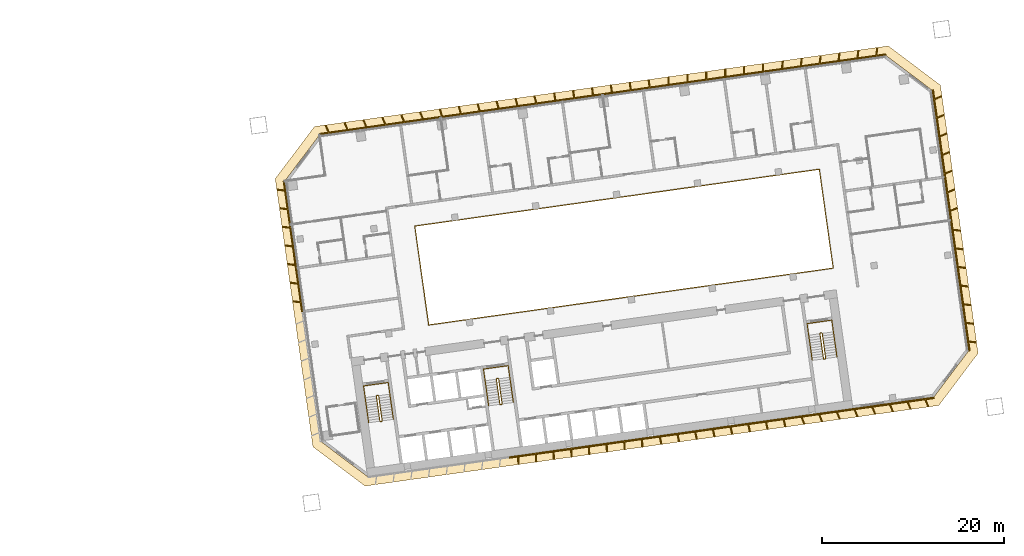
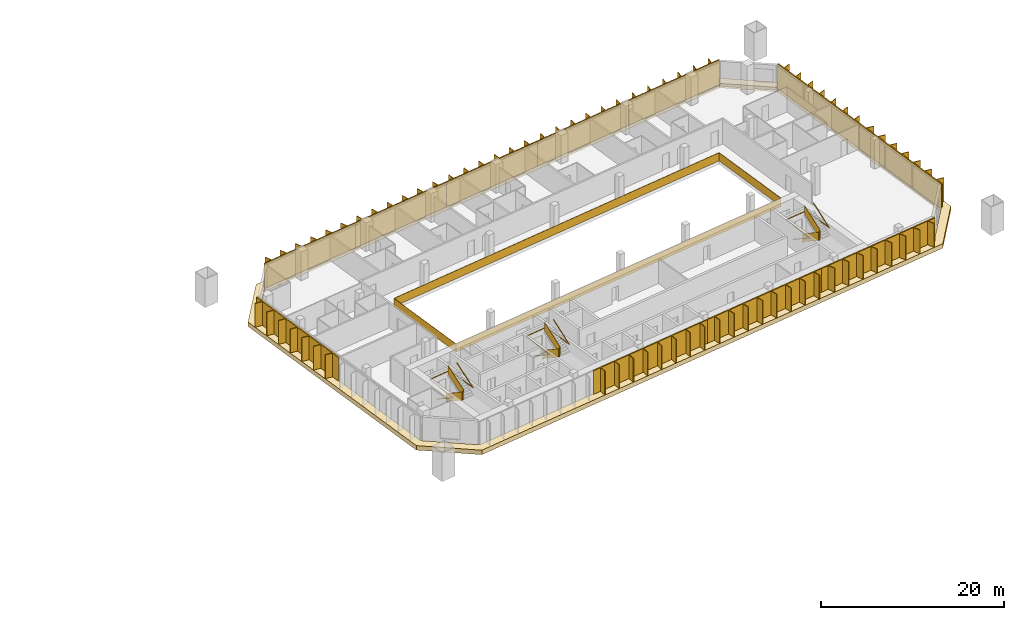
# One storey, part 24 of 24: 11 shading devices, 7 railings, 1 covering.
"""IFC4 building model written with IfcOpenShell, lengths in metres."""

from ifc_helpers import new_model, si_unit, direction, frame, origin, origin_2d, place, context, subcontext, project, spatial, polyline, rectangle, outline, extrude, material, layer, layer_set, type_object, element, save


model = new_model("IFC4")

# Units and contexts
model_context = context("Model", 3, precision=1e-05, world=origin(), true_north=direction((0.0, 1.0)))
body_context = subcontext(model_context, "Body", "Model", "MODEL_VIEW")
ifc_project = project(units=[si_unit("LENGTHUNIT", "METRE"), si_unit("AREAUNIT", "SQUARE_METRE"), si_unit("VOLUMEUNIT", "CUBIC_METRE"), si_unit("PLANEANGLEUNIT", "RADIAN"), si_unit("MASSUNIT", "GRAM", prefix="KILO")], contexts=[model_context])

# Site, building, storey
site_placement = place(None, origin())
site = spatial("IfcSite", under=ifc_project, at=site_placement, CompositionType="ELEMENT")
building_placement = place(site_placement, origin())
building = spatial("IfcBuilding", under=site, at=building_placement, Name="Mirante Cascada Hotel Towers", CompositionType="ELEMENT")
storey_placement = place(building_placement, frame((0.0, 0.0, 88.9)))
storey = spatial("IfcBuildingStorey", under=building, at=storey_placement, Name="L19", CompositionType="ELEMENT", Elevation=88.9)

# Railing
ifc_material_1 = material(Name="Toughened glass with stainless steel handrail", Category="steel")
railing_type_1 = type_object("IfcRailingType", Name="Atrium guard 1100 glass balustrade", PredefinedType="GUARDRAIL", material=ifc_material_1)
railing_1_placement = place(storey_placement, frame((43.8418, -3.4881, 0.0)))
element("IfcRailing", 1, at=railing_1_placement, inside=storey, type_object=railing_type_1, Name="GUARD 2-L19-1", PredefinedType="GUARDRAIL", context=body_context, shape_type="SweptSolid", body=[
    extrude(rectangle(XDim=0.048, YDim=0.048, at=origin_2d()), frame((0.0, 0.0, 1.076), z_axis=(0.9902681, 0.1391732, 0.0), x_axis=(-0.1391732, 0.9902681, 0.0)), (0.0, 0.0, 1.0), 45.0),
    extrude(rectangle(XDim=0.02, YDim=1.052, at=origin_2d()), frame((0.0, 0.0, 0.526), z_axis=(0.9902681, 0.1391732, 0.0), x_axis=(-0.1391732, 0.9902681, 0.0)), (0.0, 0.0, 1.0), 45.0),
    extrude(rectangle(XDim=0.048, YDim=0.048, at=origin_2d()), frame((44.5621, 6.2628, 1.076), z_axis=(-0.1391721, 0.9902682, 0.0), x_axis=(-0.9902682, -0.1391721, 0.0)), (0.0, 0.0, 1.0), 11.0001),
    extrude(rectangle(XDim=0.02, YDim=1.052, at=origin_2d()), frame((44.5621, 6.2628, 0.526), z_axis=(-0.1391721, 0.9902682, 0.0), x_axis=(-0.9902682, -0.1391721, 0.0)), (0.0, 0.0, 1.0), 11.0001),
    extrude(rectangle(XDim=0.048, YDim=0.048, at=origin_2d()), frame((43.0312, 17.1558, 1.076), z_axis=(-0.9902681, -0.1391732, 0.0), x_axis=(0.1391732, -0.9902681, 0.0)), (0.0, 0.0, 1.0), 45.0),
    extrude(rectangle(XDim=0.02, YDim=1.052, at=origin_2d()), frame((43.0312, 17.1558, 0.526), z_axis=(-0.9902681, -0.1391732, 0.0), x_axis=(0.1391732, -0.9902681, 0.0)), (0.0, 0.0, 1.0), 45.0),
    extrude(rectangle(XDim=0.048, YDim=0.048, at=origin_2d()), frame((-1.5309, 10.893, 1.076), z_axis=(0.1391721, -0.9902682, 0.0), x_axis=(0.9902682, 0.1391721, 0.0)), (0.0, 0.0, 1.0), 11.0001),
    extrude(rectangle(XDim=0.02, YDim=1.052, at=origin_2d()), frame((-1.5309, 10.893, 0.526), z_axis=(0.1391721, -0.9902682, 0.0), x_axis=(0.9902682, 0.1391721, 0.0)), (0.0, 0.0, 1.0), 11.0001),
])

# Covering
ifc_material_2 = material(Name="Precast concrete C40/50 white", Category="concrete")
ifc_layer = layer(ifc_material_2, 0.6)
ifc_layer_set = layer_set([ifc_layer], Name="Precast concrete SUNSHADE band 1000x600")
covering_type = type_object("IfcCoveringType", Name="Precast concrete SUNSHADE band 1000x600", PredefinedType="CLADDING", material=ifc_layer_set)
covering_placement = place(storey_placement, frame((0.0, 0.0, -0.45)))
element("IfcCovering", 2, at=covering_placement, inside=storey, type_object=covering_type, Name="Precast concrete SUNSHADE band T2 L19", PredefinedType="CLADDING", context=body_context, shape_type="SweptSolid", body=[
    extrude(outline(polyline([(26.9341, 12.6299), (31.2626, 18.374), (94.4698, 27.2572), (100.2139, 22.9287), (104.3652, -6.6094), (100.0367, -12.3535), (36.8295, -21.2367), (31.0854, -16.9082), (26.9341, 12.6299)]), holes=[polyline([(103.3173, -6.3384), (99.2813, 22.3794), (94.1988, 26.2093), (31.8119, 17.4414), (27.982, 12.3589), (32.018, -16.3589), (37.1005, -20.1888), (99.4874, -11.4209), (103.3173, -6.3384)])]), origin(), (0.0, 0.0, 1.0), 0.6),
])

# Railings
ifc_material_3 = material(Name="Painted steel", Category="steel")
railing_type_2 = type_object("IfcRailingType", Name="Stair guard 1100 steel balustrade", PredefinedType="GUARDRAIL", material=ifc_material_3)
railing_2_placement = place(storey_placement, frame((38.2663, -11.2395, 0.0)))
element("IfcRailing", 3, at=railing_2_placement, inside=storey, type_object=railing_type_2, Name="L19 ST2-A stair guard 1", PredefinedType="GUARDRAIL", context=body_context, shape_type="SweptSolid", body=[
    extrude(rectangle(XDim=0.048, YDim=0.048, at=origin_2d()), frame((0.0, 0.0, 1.076), z_axis=(-0.9903326, -0.1387133, 0.0), x_axis=(0.1387133, -0.9903326, 0.0)), (0.0, 0.0, 1.0), 0.1499),
    extrude(rectangle(XDim=0.02, YDim=1.052, at=origin_2d()), frame((0.0, 0.0, 0.526), z_axis=(-0.9903326, -0.1387133, 0.0), x_axis=(0.1387133, -0.9903326, 0.0)), (0.0, 0.0, 1.0), 0.1499),
    extrude(rectangle(XDim=0.048, YDim=0.048, at=origin_2d()), frame((-0.1485, -0.0208, 1.076), z_axis=(-0.6020331, -0.7984711, 0.0), x_axis=(0.7984711, -0.6020331, 0.0)), (0.0, 0.9253398, 0.3791387), 0.1866),
    extrude(rectangle(XDim=0.02, YDim=1.052, at=origin_2d()), frame((-0.1485, -0.0208, 0.526), z_axis=(-0.6020331, -0.7984711, 0.0), x_axis=(0.7984711, -0.6020331, 0.0)), (0.0, 0.9253398, 0.3791387), 0.1866),
    extrude(rectangle(XDim=0.048, YDim=0.048, at=origin_2d()), frame((-0.1911, -0.0773, 1.2487), z_axis=(0.139176, -0.9902677, 0.0), x_axis=(0.9902677, 0.139176, 0.0)), (0.0, 0.5250212, 0.8510891), 3.29),
    extrude(rectangle(XDim=0.02, YDim=1.052, at=origin_2d()), frame((-0.1911, -0.0773, 0.6987), z_axis=(0.139176, -0.9902677, 0.0), x_axis=(0.9902677, 0.139176, 0.0)), (0.0, 0.5250212, 0.8510891), 3.29),
    extrude(rectangle(XDim=0.048, YDim=0.048, at=origin_2d()), frame((0.1986, -2.8501, 2.976), z_axis=(0.9944948, -0.1047858, 0.0), x_axis=(0.1047858, 0.9944948, 0.0)), (0.0, 0.0, 1.0), 0.2061),
    extrude(rectangle(XDim=0.02, YDim=1.052, at=origin_2d()), frame((0.1986, -2.8501, 2.426), z_axis=(0.9944948, -0.1047858, 0.0), x_axis=(0.1047858, 0.9944948, 0.0)), (0.0, 0.0, 1.0), 0.2061),
    extrude(rectangle(XDim=0.048, YDim=0.048, at=origin_2d()), frame((0.4036, -2.8717, 2.976), z_axis=(-0.9902408, -0.1393672, 0.0), x_axis=(0.1393672, -0.9902408, 0.0)), (0.0, 0.0, 1.0), 0.15),
    extrude(rectangle(XDim=0.02, YDim=1.052, at=origin_2d()), frame((0.4036, -2.8717, 2.426), z_axis=(-0.9902408, -0.1393672, 0.0), x_axis=(0.1393672, -0.9902408, 0.0)), (0.0, 0.0, 1.0), 0.15),
    extrude(rectangle(XDim=0.048, YDim=0.048, at=origin_2d()), frame((0.2551, -2.8926, 2.976), z_axis=(0.9270311, 0.3749843, 0.0), x_axis=(-0.3749843, 0.9270311, 0.0)), (0.0, 0.6421903, 0.7665452), 0.2689),
    extrude(rectangle(XDim=0.02, YDim=1.052, at=origin_2d()), frame((0.2551, -2.8926, 2.426), z_axis=(0.9270311, 0.3749843, 0.0), x_axis=(-0.3749843, 0.9270311, 0.0)), (0.0, 0.6421903, 0.7665452), 0.2689),
    extrude(rectangle(XDim=0.048, YDim=0.048, at=origin_2d()), frame((0.4462, -2.8153, 3.1487), z_axis=(-0.139176, 0.9902677, 0.0), x_axis=(-0.9902677, -0.139176, 0.0)), (0.0, 0.5250212, 0.8510891), 3.29),
    extrude(rectangle(XDim=0.02, YDim=1.052, at=origin_2d()), frame((0.4462, -2.8153, 2.5987), z_axis=(-0.139176, 0.9902677, 0.0), x_axis=(-0.9902677, -0.139176, 0.0)), (0.0, 0.5250212, 0.8510891), 3.29),
])
railing_3_placement = place(storey_placement, frame((51.4864, -9.3815, 0.0)))
element("IfcRailing", 4, at=railing_3_placement, inside=storey, type_object=railing_type_2, Name="L19 ST2-B stair guard 1", PredefinedType="GUARDRAIL", context=body_context, shape_type="SweptSolid", body=[
    extrude(rectangle(XDim=0.048, YDim=0.048, at=origin_2d()), frame((0.0, 0.0, 1.076), z_axis=(-0.9902408, -0.1393672, 0.0), x_axis=(0.1393672, -0.9902408, 0.0)), (0.0, 0.0, 1.0), 0.15),
    extrude(rectangle(XDim=0.02, YDim=1.052, at=origin_2d()), frame((0.0, 0.0, 0.526), z_axis=(-0.9902408, -0.1393672, 0.0), x_axis=(0.1393672, -0.9902408, 0.0)), (0.0, 0.0, 1.0), 0.15),
    extrude(rectangle(XDim=0.048, YDim=0.048, at=origin_2d()), frame((-0.1485, -0.0209, 1.076), z_axis=(-0.6020331, -0.7984711, 0.0), x_axis=(0.7984711, -0.6020331, 0.0)), (0.0, 0.9253398, 0.3791387), 0.1866),
    extrude(rectangle(XDim=0.02, YDim=1.052, at=origin_2d()), frame((-0.1485, -0.0209, 0.526), z_axis=(-0.6020331, -0.7984711, 0.0), x_axis=(0.7984711, -0.6020331, 0.0)), (0.0, 0.9253398, 0.3791387), 0.1866),
    extrude(rectangle(XDim=0.048, YDim=0.048, at=origin_2d()), frame((-0.1911, -0.0774, 1.2487), z_axis=(0.139181, -0.990267, 0.0), x_axis=(0.990267, 0.139181, 0.0)), (0.0, 0.5250347, 0.8510808), 3.2899),
    extrude(rectangle(XDim=0.02, YDim=1.052, at=origin_2d()), frame((-0.1911, -0.0774, 0.6987), z_axis=(0.139181, -0.990267, 0.0), x_axis=(0.990267, 0.139181, 0.0)), (0.0, 0.5250347, 0.8510808), 3.2899),
    extrude(rectangle(XDim=0.048, YDim=0.048, at=origin_2d()), frame((0.1986, -2.8501, 2.976), z_axis=(0.9944441, -0.1052656, 0.0), x_axis=(0.1052656, 0.9944441, 0.0)), (0.0, 0.0, 1.0), 0.2061),
    extrude(rectangle(XDim=0.02, YDim=1.052, at=origin_2d()), frame((0.1986, -2.8501, 2.426), z_axis=(0.9944441, -0.1052656, 0.0), x_axis=(0.1052656, 0.9944441, 0.0)), (0.0, 0.0, 1.0), 0.2061),
    extrude(rectangle(XDim=0.048, YDim=0.048, at=origin_2d()), frame((0.4036, -2.8718, 2.976), z_axis=(-0.9902408, -0.1393672, 0.0), x_axis=(0.1393672, -0.9902408, 0.0)), (0.0, 0.0, 1.0), 0.15),
    extrude(rectangle(XDim=0.02, YDim=1.052, at=origin_2d()), frame((0.4036, -2.8718, 2.426), z_axis=(-0.9902408, -0.1393672, 0.0), x_axis=(0.1393672, -0.9902408, 0.0)), (0.0, 0.0, 1.0), 0.15),
    extrude(rectangle(XDim=0.048, YDim=0.048, at=origin_2d()), frame((0.2551, -2.8927, 2.976), z_axis=(0.9268624, 0.3754011, 0.0), x_axis=(-0.3754011, 0.9268624, 0.0)), (0.0, 0.6421217, 0.7666028), 0.269),
    extrude(rectangle(XDim=0.02, YDim=1.052, at=origin_2d()), frame((0.2551, -2.8927, 2.426), z_axis=(0.9268624, 0.3754011, 0.0), x_axis=(-0.3754011, 0.9268624, 0.0)), (0.0, 0.6421217, 0.7666028), 0.269),
    extrude(rectangle(XDim=0.048, YDim=0.048, at=origin_2d()), frame((0.4462, -2.8153, 3.1487), z_axis=(-0.139181, 0.990267, 0.0), x_axis=(-0.990267, -0.139181, 0.0)), (0.0, 0.5250347, 0.8510808), 3.2899),
    extrude(rectangle(XDim=0.02, YDim=1.052, at=origin_2d()), frame((0.4462, -2.8153, 2.5987), z_axis=(-0.139181, 0.990267, 0.0), x_axis=(-0.990267, -0.139181, 0.0)), (0.0, 0.5250347, 0.8510808), 3.2899),
])
railing_4_placement = place(storey_placement, frame((87.1361, -4.3713, 0.0)))
element("IfcRailing", 5, at=railing_4_placement, inside=storey, type_object=railing_type_2, Name="L19 ST2-C stair guard 1", PredefinedType="GUARDRAIL", context=body_context, shape_type="SweptSolid", body=[
    extrude(rectangle(XDim=0.048, YDim=0.048, at=origin_2d()), frame((0.0, 0.0, 1.076), z_axis=(-0.9902537, -0.1392753, 0.0), x_axis=(0.1392753, -0.9902537, 0.0)), (0.0, 0.0, 1.0), 0.1501),
    extrude(rectangle(XDim=0.02, YDim=1.052, at=origin_2d()), frame((0.0, 0.0, 0.526), z_axis=(-0.9902537, -0.1392753, 0.0), x_axis=(0.1392753, -0.9902537, 0.0)), (0.0, 0.0, 1.0), 0.1501),
    extrude(rectangle(XDim=0.048, YDim=0.048, at=origin_2d()), frame((-0.1486, -0.0209, 1.076), z_axis=(-0.601811, -0.7986386, 0.0), x_axis=(0.7986386, -0.601811, 0.0)), (0.0, 0.925603, 0.3784959), 0.1866),
    extrude(rectangle(XDim=0.02, YDim=1.052, at=origin_2d()), frame((-0.1486, -0.0209, 0.526), z_axis=(-0.601811, -0.7986386, 0.0), x_axis=(0.7986386, -0.601811, 0.0)), (0.0, 0.925603, 0.3784959), 0.1866),
    extrude(rectangle(XDim=0.048, YDim=0.048, at=origin_2d()), frame((-0.1911, -0.0773, 1.2487), z_axis=(0.139176, -0.9902677, 0.0), x_axis=(0.9902677, 0.139176, 0.0)), (0.0, 0.5250212, 0.8510891), 3.29),
    extrude(rectangle(XDim=0.02, YDim=1.052, at=origin_2d()), frame((-0.1911, -0.0773, 0.6987), z_axis=(0.139176, -0.9902677, 0.0), x_axis=(0.9902677, 0.139176, 0.0)), (0.0, 0.5250212, 0.8510891), 3.29),
    extrude(rectangle(XDim=0.048, YDim=0.048, at=origin_2d()), frame((0.1986, -2.8501, 2.976), z_axis=(0.9944441, -0.1052656, 0.0), x_axis=(0.1052656, 0.9944441, 0.0)), (0.0, 0.0, 1.0), 0.2061),
    extrude(rectangle(XDim=0.02, YDim=1.052, at=origin_2d()), frame((0.1986, -2.8501, 2.426), z_axis=(0.9944441, -0.1052656, 0.0), x_axis=(0.1052656, 0.9944441, 0.0)), (0.0, 0.0, 1.0), 0.2061),
    extrude(rectangle(XDim=0.048, YDim=0.048, at=origin_2d()), frame((0.4036, -2.8718, 2.976), z_axis=(-0.9903454, -0.1386217, 0.0), x_axis=(0.1386217, -0.9903454, 0.0)), (0.0, 0.0, 1.0), 0.15),
    extrude(rectangle(XDim=0.02, YDim=1.052, at=origin_2d()), frame((0.4036, -2.8718, 2.426), z_axis=(-0.9903454, -0.1386217, 0.0), x_axis=(0.1386217, -0.9903454, 0.0)), (0.0, 0.0, 1.0), 0.15),
    extrude(rectangle(XDim=0.048, YDim=0.048, at=origin_2d()), frame((0.255, -2.8926, 2.976), z_axis=(0.9270311, 0.3749843, 0.0), x_axis=(-0.3749843, 0.9270311, 0.0)), (0.0, 0.6421903, 0.7665452), 0.2689),
    extrude(rectangle(XDim=0.02, YDim=1.052, at=origin_2d()), frame((0.255, -2.8926, 2.426), z_axis=(0.9270311, 0.3749843, 0.0), x_axis=(-0.3749843, 0.9270311, 0.0)), (0.0, 0.6421903, 0.7665452), 0.2689),
    extrude(rectangle(XDim=0.048, YDim=0.048, at=origin_2d()), frame((0.4461, -2.8153, 3.1487), z_axis=(-0.139176, 0.9902677, 0.0), x_axis=(-0.9902677, -0.139176, 0.0)), (0.0, 0.5250212, 0.8510891), 3.29),
    extrude(rectangle(XDim=0.02, YDim=1.052, at=origin_2d()), frame((0.4461, -2.8153, 2.5987), z_axis=(-0.139176, 0.9902677, 0.0), x_axis=(-0.9902677, -0.139176, 0.0)), (0.0, 0.5250212, 0.8510891), 3.29),
])
ifc_material_4 = material(Name="Painted steel", Category="steel")
railing_type_3 = type_object("IfcRailingType", Name="Stair handrail 900 steel tube", PredefinedType="HANDRAIL", material=ifc_material_4)
railing_5_placement = place(storey_placement, frame((36.8374, -11.4908, 0.1727)))
element("IfcRailing", 6, at=railing_5_placement, inside=storey, type_object=railing_type_3, Name="L19 ST2-A stair handrail 1", PredefinedType="HANDRAIL", context=body_context, shape_type="SweptSolid", body=[
    extrude(rectangle(XDim=0.048, YDim=0.048, at=origin_2d()), frame((0.0, 0.0, 0.876), z_axis=(0.139181, -0.990267, 0.0), x_axis=(0.990267, 0.139181, 0.0)), (0.0, 0.5250347, 0.8510808), 3.2899),
    extrude(rectangle(XDim=0.048, YDim=0.048, at=origin_2d()), frame((0.3897, -2.7727, 2.6033), z_axis=(-0.1391707, 0.9902684, 0.0), x_axis=(-0.9902684, -0.1391707, 0.0)), (0.0, 0.0420846, 0.999114), 4.1036),
    extrude(rectangle(XDim=0.048, YDim=0.048, at=origin_2d()), frame((-0.1809, 1.2874, 2.776), z_axis=(0.9902691, 0.1391657, 0.0), x_axis=(-0.1391657, 0.9902691, 0.0)), (0.0, 0.0, 1.0), 2.75),
    extrude(rectangle(XDim=0.048, YDim=0.048, at=origin_2d()), frame((2.5423, 1.6701, 2.776), z_axis=(0.1391707, -0.9902684, 0.0), x_axis=(0.9902684, 0.1391707, 0.0)), (0.0, 0.0, 1.0), 4.1),
    extrude(rectangle(XDim=0.048, YDim=0.048, at=origin_2d()), frame((3.1129, -2.39, 2.776), z_axis=(-0.139181, 0.990267, 0.0), x_axis=(-0.990267, -0.139181, 0.0)), (0.0, 0.5250347, 0.8510808), 3.2899),
])
railing_6_placement = place(storey_placement, frame((50.0575, -9.6328, 0.1727)))
element("IfcRailing", 7, at=railing_6_placement, inside=storey, type_object=railing_type_3, Name="L19 ST2-B stair handrail 1", PredefinedType="HANDRAIL", context=body_context, shape_type="SweptSolid", body=[
    extrude(rectangle(XDim=0.048, YDim=0.048, at=origin_2d()), frame((0.0, 0.0, 0.876), z_axis=(0.139176, -0.9902677, 0.0), x_axis=(0.9902677, 0.139176, 0.0)), (0.0, 0.5250212, 0.8510891), 3.29),
    extrude(rectangle(XDim=0.048, YDim=0.048, at=origin_2d()), frame((0.3897, -2.7728, 2.6033), z_axis=(-0.1391707, 0.9902684, 0.0), x_axis=(-0.9902684, -0.1391707, 0.0)), (0.0, 0.0420846, 0.999114), 4.1036),
    extrude(rectangle(XDim=0.048, YDim=0.048, at=origin_2d()), frame((-0.1809, 1.2873, 2.776), z_axis=(0.9902641, 0.1392013, 0.0), x_axis=(-0.1392013, 0.9902641, 0.0)), (0.0, 0.0, 1.0), 2.75),
    extrude(rectangle(XDim=0.048, YDim=0.048, at=origin_2d()), frame((2.5423, 1.6701, 2.776), z_axis=(0.1391707, -0.9902684, 0.0), x_axis=(0.9902684, 0.1391707, 0.0)), (0.0, 0.0, 1.0), 4.1),
    extrude(rectangle(XDim=0.048, YDim=0.048, at=origin_2d()), frame((3.1129, -2.39, 2.776), z_axis=(-0.139181, 0.990267, 0.0), x_axis=(-0.990267, -0.139181, 0.0)), (0.0, 0.5250347, 0.8510808), 3.2899),
])
railing_7_placement = place(storey_placement, frame((85.7071, -4.6226, 0.1727)))
element("IfcRailing", 8, at=railing_7_placement, inside=storey, type_object=railing_type_3, Name="L19 ST2-C stair handrail 1", PredefinedType="HANDRAIL", context=body_context, shape_type="SweptSolid", body=[
    extrude(rectangle(XDim=0.048, YDim=0.048, at=origin_2d()), frame((0.0, 0.0, 0.876), z_axis=(0.139181, -0.990267, 0.0), x_axis=(0.990267, 0.139181, 0.0)), (0.0, 0.5250347, 0.8510808), 3.2899),
    extrude(rectangle(XDim=0.048, YDim=0.048, at=origin_2d()), frame((0.3897, -2.7727, 2.6033), z_axis=(-0.1391707, 0.9902684, 0.0), x_axis=(-0.9902684, -0.1391707, 0.0)), (0.0, 0.0420846, 0.999114), 4.1036),
    extrude(rectangle(XDim=0.048, YDim=0.048, at=origin_2d()), frame((-0.1809, 1.2874, 2.776), z_axis=(0.9902691, 0.1391657, 0.0), x_axis=(-0.1391657, 0.9902691, 0.0)), (0.0, 0.0, 1.0), 2.75),
    extrude(rectangle(XDim=0.048, YDim=0.048, at=origin_2d()), frame((2.5423, 1.6701, 2.776), z_axis=(0.1391947, -0.990265, 0.0), x_axis=(0.990265, 0.1391947, 0.0)), (0.0, 0.0, 1.0), 4.1),
    extrude(rectangle(XDim=0.048, YDim=0.048, at=origin_2d()), frame((3.113, -2.39, 2.776), z_axis=(-0.139181, 0.990267, 0.0), x_axis=(-0.990267, -0.139181, 0.0)), (0.0, 0.5250347, 0.8510808), 3.2899),
])

# Shading devices
ifc_material_5 = material(Name="White precast concrete C50/60 fin", Category="concrete")
shading_device_type = type_object("IfcShadingDeviceType", Name="Vertical fin set 4500x900", PredefinedType="USERDEFINED", material=ifc_material_5)
shading_device_1_placement = place(storey_placement, origin())
element("IfcShadingDevice", 9, at=shading_device_1_placement, inside=storey, type_object=shading_device_type, Name="FIN T2 L19 front 1", ObjectType="FIN", PredefinedType="USERDEFINED", context=body_context, shape_type="SweptSolid", body=[
    extrude(outline(polyline([(82.8967, 25.5893), (82.7946, 24.758), (84.7922, 25.0387), (84.8968, 25.8913), (84.9762, 25.8815), (84.8742, 25.0503), (86.8717, 25.331), (86.9764, 26.1835), (87.0558, 26.1738), (86.9537, 25.3425), (88.9513, 25.6233), (89.056, 26.4758), (89.1354, 26.4661), (89.0333, 25.6348), (91.0308, 25.9155), (91.1355, 26.7681), (91.2149, 26.7583), (91.1129, 25.9271), (93.1104, 26.2078), (93.2151, 27.0603), (93.2945, 27.0506), (93.1924, 26.2193), (94.1779, 26.3578), (94.1988, 26.2093), (81.7214, 24.4557), (81.7006, 24.6042), (82.7126, 24.7465), (82.8173, 25.599), (82.8967, 25.5893)])), origin(), (0.0, 0.0, 1.0), 3.3),
])
shading_device_2_placement = place(storey_placement, origin())
element("IfcShadingDevice", 10, at=shading_device_2_placement, inside=storey, type_object=shading_device_type, Name="FIN T2 L19 front 2", ObjectType="FIN", PredefinedType="USERDEFINED", context=body_context, shape_type="SweptSolid", body=[
    extrude(outline(polyline([(70.3021, 23.8476), (70.3094, 23.0033), (72.3091, 23.2844), (72.3016, 24.1392), (72.3816, 24.1399), (72.389, 23.2956), (74.3886, 23.5766), (74.3812, 24.4314), (74.4612, 24.4321), (74.4686, 23.5878), (76.4682, 23.8689), (76.4608, 24.7237), (76.5407, 24.7244), (76.5481, 23.8801), (78.5478, 24.1611), (78.5403, 25.0159), (78.6203, 25.0166), (78.6277, 24.1724), (80.6273, 24.4534), (80.6199, 25.3082), (80.6999, 25.3089), (80.7072, 24.4646), (81.7006, 24.6042), (81.7214, 24.4557), (69.2441, 22.7021), (69.2232, 22.8507), (70.2295, 22.9921), (70.2221, 23.8469), (70.3021, 23.8476)])), origin(), (0.0, 0.0, 1.0), 3.3),
])
shading_device_3_placement = place(storey_placement, origin())
element("IfcShadingDevice", 11, at=shading_device_3_placement, inside=storey, type_object=shading_device_type, Name="FIN T2 L19 front 3", ObjectType="FIN", PredefinedType="USERDEFINED", context=body_context, shape_type="SweptSolid", body=[
    extrude(outline(polyline([(57.7069, 22.0905), (57.8252, 21.2488), (59.8255, 21.5299), (59.7072, 22.3716), (59.7865, 22.3828), (59.9048, 21.541), (61.9051, 21.8222), (61.7868, 22.6639), (61.866, 22.675), (61.9843, 21.8333), (63.9847, 22.1144), (63.8664, 22.9562), (63.9456, 22.9673), (64.0639, 22.1256), (66.0642, 22.4067), (65.9459, 23.2484), (66.0251, 23.2596), (66.1434, 22.4178), (68.1438, 22.699), (68.0255, 23.5407), (68.1047, 23.5518), (68.223, 22.7101), (69.2232, 22.8507), (69.2441, 22.7021), (56.7667, 20.9485), (56.7458, 21.0971), (57.746, 21.2376), (57.6277, 22.0794), (57.7069, 22.0905)])), origin(), (0.0, 0.0, 1.0), 3.3),
])
shading_device_4_placement = place(storey_placement, origin())
element("IfcShadingDevice", 12, at=shading_device_4_placement, inside=storey, type_object=shading_device_type, Name="FIN T2 L19 front 4", ObjectType="FIN", PredefinedType="USERDEFINED", context=body_context, shape_type="SweptSolid", body=[
    extrude(outline(polyline([(45.1132, 20.3181), (45.3416, 19.4943), (47.3413, 19.7754), (47.1157, 20.589), (47.1928, 20.6103), (47.4212, 19.7866), (49.4209, 20.0676), (49.1952, 20.8812), (49.2723, 20.9026), (49.5008, 20.0789), (51.5004, 20.3599), (51.2748, 21.1735), (51.3519, 21.1949), (51.5803, 20.3711), (53.58, 20.6521), (53.3544, 21.4657), (53.4314, 21.4871), (53.6599, 20.6634), (55.6595, 20.9444), (55.4339, 21.758), (55.511, 21.7794), (55.7394, 20.9556), (56.7458, 21.0971), (56.7667, 20.9485), (44.2893, 19.195), (44.2684, 19.3435), (45.2617, 19.4831), (45.0361, 20.2967), (45.1132, 20.3181)])), origin(), (0.0, 0.0, 1.0), 3.3),
])
shading_device_5_placement = place(storey_placement, origin())
element("IfcShadingDevice", 13, at=shading_device_5_placement, inside=storey, type_object=shading_device_type, Name="FIN T2 L19 front 5", ObjectType="FIN", PredefinedType="USERDEFINED", context=body_context, shape_type="SweptSolid", body=[
    extrude(outline(polyline([(32.5229, 18.5306), (32.8586, 17.7399), (34.8561, 18.0207), (34.5289, 18.7916), (34.6025, 18.8229), (34.9381, 18.0322), (36.9357, 18.3129), (36.6084, 19.0839), (36.6821, 19.1151), (37.0177, 18.3245), (39.0152, 18.6052), (38.688, 19.3761), (38.7616, 19.4074), (39.0973, 18.6167), (41.0948, 18.8975), (40.7676, 19.6684), (40.8412, 19.6997), (41.1768, 18.909), (43.1744, 19.1897), (42.8471, 19.9607), (42.9208, 19.9919), (43.2564, 19.2013), (44.2684, 19.3435), (44.2893, 19.195), (31.8119, 17.4414), (31.791, 17.5899), (32.7765, 17.7284), (32.4493, 18.4994), (32.5229, 18.5306)])), origin(), (0.0, 0.0, 1.0), 3.3),
])
shading_device_6_placement = place(storey_placement, origin())
element("IfcShadingDevice", 14, at=shading_device_6_placement, inside=storey, type_object=shading_device_type, Name="FIN T2 L19 inner 1", ObjectType="FIN", PredefinedType="USERDEFINED", context=body_context, shape_type="SweptSolid", body=[
    extrude(outline(polyline([(28.8684, -0.8389), (29.6997, -0.941), (29.4229, 1.0283), (28.5704, 1.133), (28.5801, 1.2124), (29.4114, 1.1103), (29.1346, 3.0796), (28.2821, 3.1842), (28.2918, 3.2636), (29.1231, 3.1616), (28.8464, 5.1308), (27.9938, 5.2355), (28.0036, 5.3149), (28.8348, 5.2128), (28.5581, 7.1821), (27.7055, 7.2868), (27.7153, 7.3662), (28.5465, 7.2641), (28.2698, 9.2334), (27.4172, 9.338), (27.427, 9.4174), (28.2583, 9.3154), (27.9815, 11.2846), (27.1289, 11.3893), (27.1387, 11.4687), (27.97, 11.3667), (27.8334, 12.338), (27.982, 12.3589), (30.0, -2.0), (29.8515, -2.0209), (29.7112, -1.023), (28.8587, -0.9183), (28.8684, -0.8389)])), origin(), (0.0, 0.0, 1.0), 3.3),
])
shading_device_7_placement = place(storey_placement, origin())
element("IfcShadingDevice", 15, at=shading_device_7_placement, inside=storey, type_object=shading_device_type, Name="FIN T2 L19 outer 1", ObjectType="FIN", PredefinedType="USERDEFINED", context=body_context, shape_type="SweptSolid", body=[
    extrude(outline(polyline([(104.1606, -5.4483), (103.3293, -5.3462), (103.4659, -6.3175), (103.3173, -6.3384), (101.2993, 8.0205), (101.4478, 8.0413), (101.5881, 7.0434), (102.4406, 6.9388), (102.4309, 6.8594), (101.5996, 6.9614), (101.8764, 4.9922), (102.7289, 4.8875), (102.7192, 4.8081), (101.8879, 4.9102), (102.1647, 2.9409), (103.0172, 2.8362), (103.0075, 2.7568), (102.1762, 2.8589), (102.4529, 0.8896), (103.3055, 0.785), (103.2957, 0.7056), (102.4645, 0.8076), (102.7412, -1.1616), (103.5938, -1.2663), (103.584, -1.3457), (102.7528, -1.2436), (103.0295, -3.2129), (103.8821, -3.3176), (103.8723, -3.397), (103.041, -3.2949), (103.3178, -5.2642), (104.1704, -5.3689), (104.1606, -5.4483)])), origin(), (0.0, 0.0, 1.0), 3.3),
])
shading_device_8_placement = place(storey_placement, origin())
element("IfcShadingDevice", 16, at=shading_device_8_placement, inside=storey, type_object=shading_device_type, Name="FIN T2 L19 outer 2", ObjectType="FIN", PredefinedType="USERDEFINED", context=body_context, shape_type="SweptSolid", body=[
    extrude(outline(polyline([(102.0983, 9.3749), (101.3076, 9.0392), (101.4478, 8.0413), (101.2993, 8.0205), (99.2813, 22.3794), (99.4298, 22.4002), (99.5663, 21.4289), (100.3373, 21.7561), (100.3685, 21.6825), (99.5779, 21.3469), (99.8546, 19.3776), (100.6256, 19.7048), (100.6568, 19.6312), (99.8662, 19.2956), (100.1429, 17.3263), (100.9139, 17.6536), (100.9451, 17.5799), (100.1544, 17.2443), (100.4312, 15.2751), (101.2021, 15.6023), (101.2334, 15.5287), (100.4427, 15.193), (100.7195, 13.2238), (101.4904, 13.551), (101.5217, 13.4774), (100.731, 13.1418), (101.0078, 11.1725), (101.7787, 11.4998), (101.81, 11.4261), (101.0193, 11.0905), (101.2961, 9.1212), (102.067, 9.4485), (102.0983, 9.3749)])), origin(), (0.0, 0.0, 1.0), 3.3),
])
shading_device_9_placement = place(storey_placement, origin())
element("IfcShadingDevice", 17, at=shading_device_9_placement, inside=storey, type_object=shading_device_type, Name="FIN T2 L19 rear 2", ObjectType="FIN", PredefinedType="USERDEFINED", context=body_context, shape_type="SweptSolid", body=[
    extrude(outline(polyline([(53.6931, -18.8597), (53.6488, -18.0146), (52.7181, -18.1454), (52.6972, -17.9968), (68.2939, -15.8049), (68.3148, -15.9534), (67.3755, -16.0854), (67.4201, -16.9376), (67.3402, -16.9417), (67.2959, -16.0966), (65.4259, -16.3594), (65.4705, -17.2116), (65.3906, -17.2157), (65.3463, -16.3706), (63.4763, -16.6334), (63.5209, -17.4856), (63.441, -17.4897), (63.3967, -16.6446), (61.5267, -16.9074), (61.5713, -17.7596), (61.4914, -17.7637), (61.4472, -16.9186), (59.5771, -17.1814), (59.6217, -18.0335), (59.5419, -18.0377), (59.4976, -17.1926), (57.6275, -17.4554), (57.6722, -18.3075), (57.5923, -18.3117), (57.548, -17.4666), (55.6779, -17.7294), (55.7226, -18.5815), (55.6427, -18.5857), (55.5984, -17.7406), (53.7283, -18.0034), (53.773, -18.8555), (53.6931, -18.8597)])), origin(), (0.0, 0.0, 1.0), 3.3),
])
shading_device_10_placement = place(storey_placement, origin())
element("IfcShadingDevice", 18, at=shading_device_10_placement, inside=storey, type_object=shading_device_type, Name="FIN T2 L19 rear 3", ObjectType="FIN", PredefinedType="USERDEFINED", context=body_context, shape_type="SweptSolid", body=[
    extrude(outline(polyline([(69.4461, -16.6528), (69.2542, -15.8214), (68.3148, -15.9534), (68.2939, -15.8049), (83.8907, -13.6129), (83.9115, -13.7614), (82.9808, -13.8922), (83.1712, -14.7168), (83.0933, -14.7348), (82.9013, -13.9034), (81.0312, -14.1662), (81.2216, -14.9908), (81.1437, -15.0088), (80.9517, -14.1774), (79.0817, -14.4402), (79.272, -15.2648), (79.1941, -15.2828), (79.0021, -14.4514), (77.1321, -14.7142), (77.3224, -15.5388), (77.2445, -15.5568), (77.0525, -14.7254), (75.1825, -14.9882), (75.3729, -15.8128), (75.2949, -15.8308), (75.103, -14.9994), (73.2329, -15.2622), (73.4233, -16.0868), (73.3453, -16.1048), (73.1534, -15.2734), (71.2833, -15.5362), (71.4737, -16.3608), (71.3957, -16.3788), (71.2038, -15.5474), (69.3337, -15.8102), (69.5241, -16.6348), (69.4461, -16.6528)])), origin(), (0.0, 0.0, 1.0), 3.3),
])
shading_device_11_placement = place(storey_placement, origin())
element("IfcShadingDevice", 19, at=shading_device_11_placement, inside=storey, type_object=shading_device_type, Name="FIN T2 L19 rear 4", ObjectType="FIN", PredefinedType="USERDEFINED", context=body_context, shape_type="SweptSolid", body=[
    extrude(outline(polyline([(85.1942, -14.419), (84.8586, -13.6283), (83.9115, -13.7614), (83.8907, -13.6129), (99.4874, -11.4209), (99.5083, -11.5694), (98.5877, -11.6988), (98.915, -12.4698), (98.8413, -12.501), (98.5057, -11.7103), (96.6381, -11.9728), (96.9654, -12.7438), (96.8918, -12.775), (96.5561, -11.9843), (94.6886, -12.2468), (95.0158, -13.0178), (94.9422, -13.049), (94.6065, -12.2583), (92.739, -12.5208), (93.0662, -13.2918), (92.9926, -13.323), (92.657, -12.5323), (90.7894, -12.7948), (91.1166, -13.5657), (91.043, -13.597), (90.7074, -12.8063), (88.8398, -13.0688), (89.167, -13.8397), (89.0934, -13.871), (88.7578, -13.0803), (86.8902, -13.3428), (87.2174, -14.1137), (87.1438, -14.145), (86.8082, -13.3543), (84.9406, -13.6168), (85.2679, -14.3877), (85.1942, -14.419)])), origin(), (0.0, 0.0, 1.0), 3.3),
])

save(model, "model.ifc")
